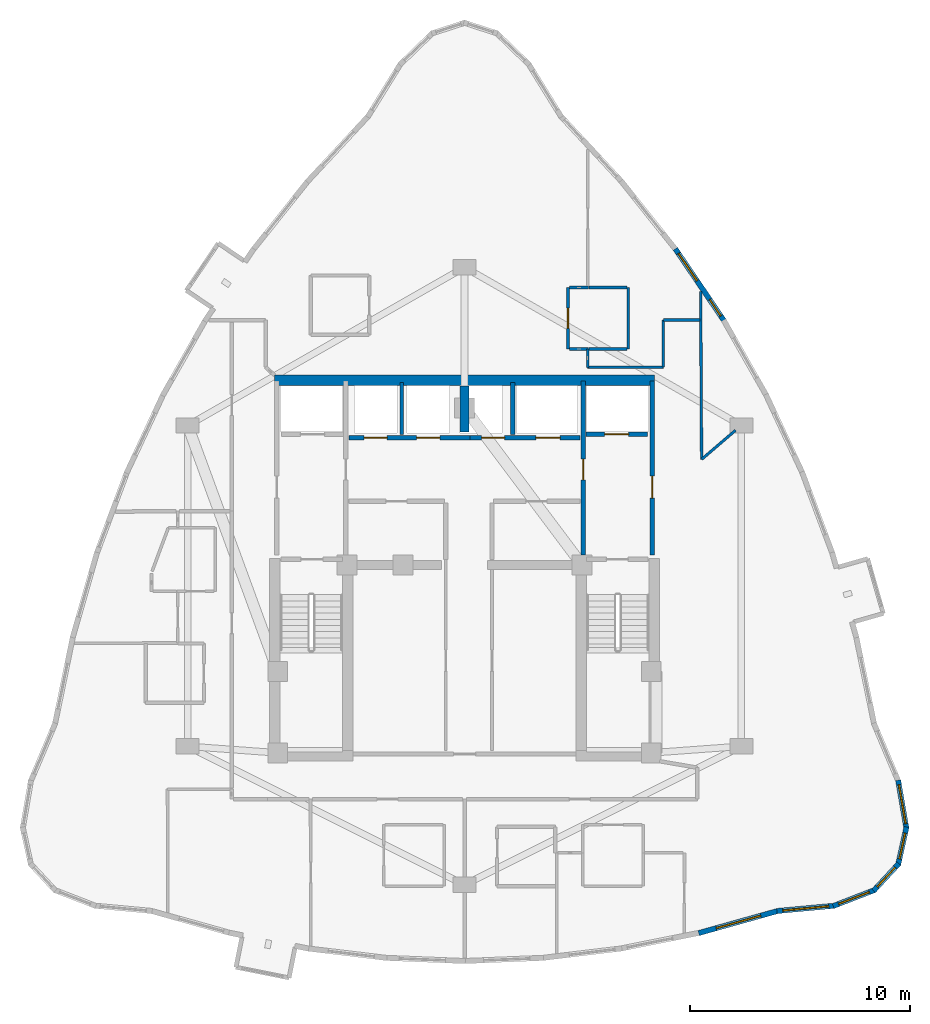
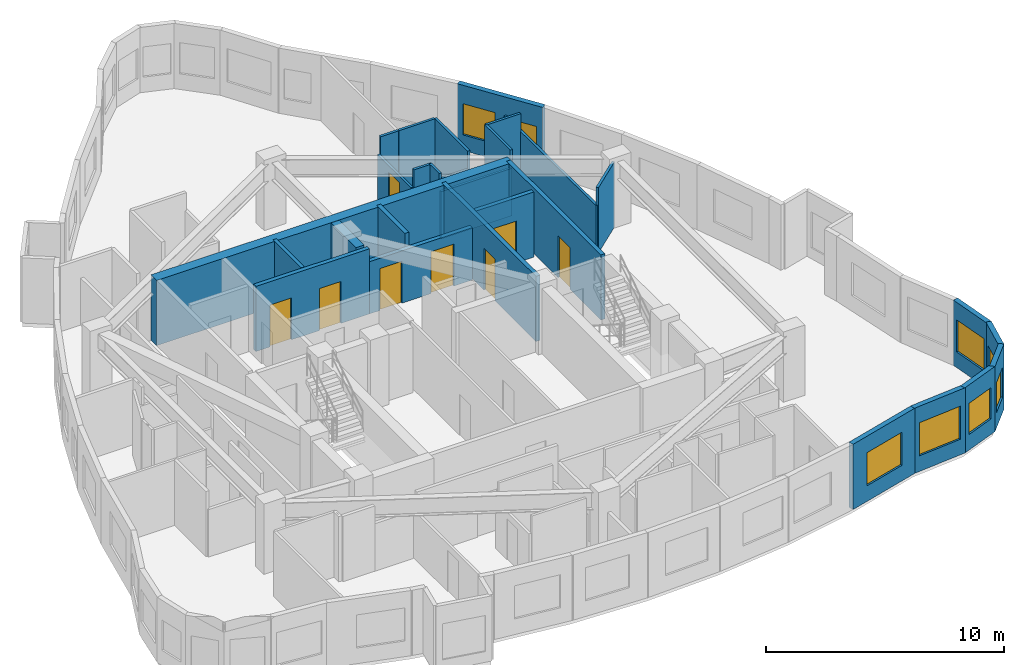
# One storey, part 10 of 13: 28 walls, 8 doors, 8 windows, 16 openings.
"""IFC4 building model written with IfcOpenShell, lengths in metres."""

from ifc_helpers import new_model, si_unit, direction, frame, frame_2d, origin, place, context, subcontext, project, spatial, rectangle, extrude, material, layer, layer_set, type_object, element, fill, save


model = new_model("IFC4")

# Units and contexts
model_context = context("Model", 3, precision=1e-05, world=origin(), true_north=direction((0.0, 1.0)))
body_context = subcontext(model_context, "Body", "Model", "MODEL_VIEW")
ifc_project = project(units=[si_unit("LENGTHUNIT", "METRE"), si_unit("AREAUNIT", "SQUARE_METRE"), si_unit("VOLUMEUNIT", "CUBIC_METRE"), si_unit("PLANEANGLEUNIT", "RADIAN"), si_unit("MASSUNIT", "GRAM", prefix="KILO")], contexts=[model_context])

# Site, building, storey
site_placement = place(None, origin())
site = spatial("IfcSite", under=ifc_project, at=site_placement, CompositionType="ELEMENT")
building_placement = place(site_placement, origin())
building = spatial("IfcBuilding", under=site, at=building_placement, Name="Miruveldt Soraemaru", CompositionType="ELEMENT")
storey_placement = place(building_placement, frame((0.0, 0.0, 201.60009765625)))
storey = spatial("IfcBuildingStorey", under=building, at=storey_placement, Name="L55", CompositionType="ELEMENT", Elevation=201.60009765625)

# Walls
ifc_material_1 = material(Name="Concrete C70/85 (70 MPa)", Category="concrete")
ifc_layer_1 = layer(ifc_material_1, 0.5, Name="Concrete C70/85 (70 MPa)", Category="concrete")
ifc_layer_set_1 = layer_set([ifc_layer_1], Name="Concrete C70/85 (70 MPa)")
wall_type_1 = type_object("IfcWallType", Name="WALL-BW-500", PredefinedType="SHEAR", material=ifc_layer_set_1)
wall_1_placement = place(storey_placement, frame((44.0, 50.10009765625, 0.0), z_axis=(0.0, 0.0, 1.0), x_axis=(0.0, 1.0, 0.0)))
element("IfcWall", 1, at=wall_1_placement, inside=storey, type_object=wall_type_1, Name="L55 Core Buttress Shear Wall BN", PredefinedType="SHEAR", context=body_context, shape_type="SweptSolid", body=[
    extrude(rectangle(XDim=2.099853515625, YDim=0.39990234375, at=frame_2d((1.0498046875, 0.0))), origin(), (0.0, 0.0, 1.0), 3.344970703125),
])
ifc_material_2 = material(Name="Concrete C60/75 (60 MPa)", Category="concrete")
ifc_layer_2 = layer(ifc_material_2, 0.47998046875, Name="Concrete C60/75 (60 MPa)", Category="concrete")
ifc_layer_set_2 = layer_set([ifc_layer_2], Name="Concrete C60/75 (60 MPa)")
wall_type_2 = type_object("IfcWallType", Name="WALL-CW-480", PredefinedType="SHEAR", material=ifc_layer_set_2)
wall_2_placement = place(storey_placement, frame((35.35009765625, 52.449951171875, 0.0), z_axis=(0.0, 0.0, 1.0), x_axis=(1.0, 0.0, 0.0)))
element("IfcWall", 2, at=wall_2_placement, inside=storey, type_object=wall_type_2, Name="L55 Central Core Shear Wall N", PredefinedType="SHEAR", context=body_context, shape_type="SweptSolid", body=[
    extrude(rectangle(XDim=17.2998046875, YDim=0.47998046875, at=frame_2d((8.64990234375, 0.0))), origin(), (0.0, 0.0, 1.0), 3.344970703125),
])

# Wall, opening, window
ifc_material_3 = material(Name="Precast concrete C45/55 (45 MPa)", Category="concrete")
ifc_layer_3 = layer(ifc_material_3, 0.239990234375, Name="Precast concrete C45/55 (45 MPa)", Category="concrete")
ifc_layer_set_3 = layer_set([ifc_layer_3], Name="Precast concrete C45/55 (45 MPa)")
wall_type_3 = type_object("IfcWallType", Name="WALL-EXT-PC240", PredefinedType="SOLIDWALL", material=ifc_layer_set_3)
wall_3_placement = place(storey_placement, frame((54.654052734375, 27.297119140625, 0.0), z_axis=(0.0, 0.0, 1.0), x_axis=(0.962964692372, 0.26962752316, 0.0)))
wall_3 = element("IfcWall", 3, at=wall_3_placement, inside=storey, type_object=wall_type_3, Name="L55 Precast Concrete Facade Wall 28", PredefinedType="SOLIDWALL", context=body_context, shape_type="SweptSolid", body=[
    extrude(rectangle(XDim=3.76953125, YDim=0.239990234375, at=frame_2d((1.884765625, 0.0))), origin(), (0.0, 0.0, 1.0), 3.344970703125),
])
opening_1_placement = place(wall_3_placement, frame((0.8349609375, 0.0, 0.800048828125)))
opening_1 = element("IfcOpeningElement", 4, at=opening_1_placement, cuts=wall_3, Name="Opening WN-1", PredefinedType="OPENING", context=body_context, shape_type="SweptSolid", body=[
    extrude(rectangle(XDim=2.10009765625, YDim=1.699951171875, at=frame_2d((1.050048828125, 0.85009765625))), frame((0.0, 0.1298828125, 0.0), z_axis=(0.0, -1.0, 0.0), x_axis=(1.0, 0.0, 0.0)), (0.0, 0.0, 1.0), 0.260009765625),
])
ifc_material_4 = material(Name="Triple low-e insulated glazing", Category="glass")
window_type_1 = type_object("IfcWindowType", Name="WIN-PUNCH-2100x1700", PartitioningType="SINGLE_PANEL", PredefinedType="WINDOW", material=ifc_material_4)
window_1_placement = place(opening_1_placement, origin())
window_1 = element("IfcWindow", 5, at=window_1_placement, inside=storey, type_object=window_type_1, Name="L55 Punched Triple-Glazed Window 28.1", OverallHeight=1.699951171875, OverallWidth=2.10009765625, PartitioningType="SINGLE_PANEL", PredefinedType="WINDOW", context=body_context, shape_type="SweptSolid", body=[
    extrude(rectangle(XDim=2.10009765625, YDim=1.699951171875, at=frame_2d((1.050048828125, 0.85009765625))), frame((0.0, 0.030029296875, 0.0), z_axis=(0.0, -1.0, 0.0), x_axis=(1.0, 0.0, 0.0)), (0.0, 0.0, 1.0), 0.06005859375),
])
fill(opening_1, window_1)

wall_4_placement = place(storey_placement, frame((58.21533203125, 28.30078125, 0.0), z_axis=(0.0, 0.0, 1.0), x_axis=(0.995760434539, 0.091984547654, 0.0)))
wall_4 = element("IfcWall", 6, at=wall_4_placement, inside=storey, type_object=wall_type_3, Name="L55 Precast Concrete Facade Wall 29", PredefinedType="SOLIDWALL", context=body_context, shape_type="SweptSolid", body=[
    extrude(rectangle(XDim=2.6435546875, YDim=0.239990234375, at=frame_2d((1.32177734375, 0.0))), origin(), (0.0, 0.0, 1.0), 3.344970703125),
])
opening_2_placement = place(wall_4_placement, frame((0.27197265625, 0.0, 0.800048828125)))
opening_2 = element("IfcOpeningElement", 7, at=opening_2_placement, cuts=wall_4, Name="Opening WN-1", PredefinedType="OPENING", context=body_context, shape_type="SweptSolid", body=[
    extrude(rectangle(XDim=2.10009765625, YDim=1.699951171875, at=frame_2d((1.050048828125, 0.85009765625))), frame((0.0, 0.1298828125, 0.0), z_axis=(0.0, -1.0, 0.0), x_axis=(1.0, 0.0, 0.0)), (0.0, 0.0, 1.0), 0.260009765625),
])
window_2_placement = place(opening_2_placement, origin())
window_2 = element("IfcWindow", 8, at=window_2_placement, inside=storey, type_object=window_type_1, Name="L55 Punched Triple-Glazed Window 29.1", OverallHeight=1.699951171875, OverallWidth=2.10009765625, PartitioningType="SINGLE_PANEL", PredefinedType="WINDOW", context=body_context, shape_type="SweptSolid", body=[
    extrude(rectangle(XDim=2.10009765625, YDim=1.699951171875, at=frame_2d((1.050048828125, 0.85009765625))), frame((0.0, 0.030029296875, 0.0), z_axis=(0.0, -1.0, 0.0), x_axis=(1.0, 0.0, 0.0)), (0.0, 0.0, 1.0), 0.06005859375),
])
fill(opening_2, window_2)

wall_5_placement = place(storey_placement, frame((60.7802734375, 28.528076171875, 0.0), z_axis=(0.0, 0.0, 1.0), x_axis=(0.932261326856, 0.361785597349, 0.0)))
wall_5 = element("IfcWall", 9, at=wall_5_placement, inside=storey, type_object=wall_type_3, Name="L55 Precast Concrete Facade Wall 30", PredefinedType="SOLIDWALL", context=body_context, shape_type="SweptSolid", body=[
    extrude(rectangle(XDim=2.033203125, YDim=0.239990234375, at=frame_2d((1.0166015625, 0.0))), origin(), (0.0, 0.0, 1.0), 3.344970703125),
])
opening_3_placement = place(wall_5_placement, frame((0.26611328125, 0.0, 0.800048828125)))
opening_3 = element("IfcOpeningElement", 10, at=opening_3_placement, cuts=wall_5, Name="Opening WN-3", PredefinedType="OPENING", context=body_context, shape_type="SweptSolid", body=[
    extrude(rectangle(XDim=1.5, YDim=1.60009765625, at=frame_2d((0.75, 0.800048828125))), frame((0.0, 0.1298828125, 0.0), z_axis=(0.0, -1.0, 0.0), x_axis=(1.0, 0.0, 0.0)), (0.0, 0.0, 1.0), 0.260009765625),
])
window_type_2 = type_object("IfcWindowType", Name="WIN-PUNCH-1500x1600", PartitioningType="SINGLE_PANEL", PredefinedType="WINDOW", material=ifc_material_4)
window_3_placement = place(opening_3_placement, origin())
window_3 = element("IfcWindow", 11, at=window_3_placement, inside=storey, type_object=window_type_2, Name="L55 Punched Triple-Glazed Window 30.1", OverallHeight=1.60009765625, OverallWidth=1.5, PartitioningType="SINGLE_PANEL", PredefinedType="WINDOW", context=body_context, shape_type="SweptSolid", body=[
    extrude(rectangle(XDim=1.5, YDim=1.60009765625, at=frame_2d((0.75, 0.800048828125))), frame((0.0, 0.030029296875, 0.0), z_axis=(0.0, -1.0, 0.0), x_axis=(1.0, 0.0, 0.0)), (0.0, 0.0, 1.0), 0.06005859375),
])
fill(opening_3, window_3)

wall_6_placement = place(storey_placement, frame((62.619384765625, 29.22509765625, 0.0), z_axis=(0.0, 0.0, 1.0), x_axis=(0.680167597327, 0.733056641431, 0.0)))
wall_6 = element("IfcWall", 12, at=wall_6_placement, inside=storey, type_object=wall_type_3, Name="L55 Precast Concrete Facade Wall 31", PredefinedType="SOLIDWALL", context=body_context, shape_type="SweptSolid", body=[
    extrude(rectangle(XDim=1.684814453125, YDim=0.239990234375, at=frame_2d((0.84228515625, 0.0))), origin(), (0.0, 0.0, 1.0), 3.344970703125),
])
opening_4_placement = place(wall_6_placement, frame((0.241943359375, 0.0, 0.780029296875)))
opening_4 = element("IfcOpeningElement", 13, at=opening_4_placement, cuts=wall_6, Name="Opening WN-4", PredefinedType="OPENING", context=body_context, shape_type="SweptSolid", body=[
    extrude(rectangle(XDim=1.199951171875, YDim=1.550048828125, at=frame_2d((0.60009765625, 0.77490234375))), frame((0.0, 0.1298828125, 0.0), z_axis=(0.0, -1.0, 0.0), x_axis=(1.0, 0.0, 0.0)), (0.0, 0.0, 1.0), 0.260009765625),
])
window_type_3 = type_object("IfcWindowType", Name="WIN-PUNCH-1200x1550", PartitioningType="SINGLE_PANEL", PredefinedType="WINDOW", material=ifc_material_4)
window_4_placement = place(opening_4_placement, origin())
window_4 = element("IfcWindow", 14, at=window_4_placement, inside=storey, type_object=window_type_3, Name="L55 Punched Triple-Glazed Window 31.1", OverallHeight=1.550048828125, OverallWidth=1.199951171875, PartitioningType="SINGLE_PANEL", PredefinedType="WINDOW", context=body_context, shape_type="SweptSolid", body=[
    extrude(rectangle(XDim=1.199951171875, YDim=1.550048828125, at=frame_2d((0.60009765625, 0.77490234375))), frame((0.0, 0.030029296875, 0.0), z_axis=(0.0, -1.0, 0.0), x_axis=(1.0, 0.0, 0.0)), (0.0, 0.0, 1.0), 0.06005859375),
])
fill(opening_4, window_4)

wall_7_placement = place(storey_placement, frame((63.73388671875, 30.400390625, 0.0), z_axis=(0.0, 0.0, 1.0), x_axis=(0.215818470806, 0.976433503962, 0.0)))
wall_7 = element("IfcWall", 15, at=wall_7_placement, inside=storey, type_object=wall_type_3, Name="L55 Precast Concrete Facade Wall 32", PredefinedType="SOLIDWALL", context=body_context, shape_type="SweptSolid", body=[
    extrude(rectangle(XDim=1.76708984375, YDim=0.239990234375, at=frame_2d((0.883544921875, 0.0))), origin(), (0.0, 0.0, 1.0), 3.344970703125),
])
opening_5_placement = place(wall_7_placement, frame((0.282958984375, 0.0, 0.780029296875)))
opening_5 = element("IfcOpeningElement", 16, at=opening_5_placement, cuts=wall_7, Name="Opening WN-4", PredefinedType="OPENING", context=body_context, shape_type="SweptSolid", body=[
    extrude(rectangle(XDim=1.199951171875, YDim=1.550048828125, at=frame_2d((0.60009765625, 0.77490234375))), frame((0.0, 0.1298828125, 0.0), z_axis=(0.0, -1.0, 0.0), x_axis=(1.0, 0.0, 0.0)), (0.0, 0.0, 1.0), 0.260009765625),
])
window_5_placement = place(opening_5_placement, origin())
window_5 = element("IfcWindow", 17, at=window_5_placement, inside=storey, type_object=window_type_3, Name="L55 Punched Triple-Glazed Window 32.1", OverallHeight=1.550048828125, OverallWidth=1.199951171875, PartitioningType="SINGLE_PANEL", PredefinedType="WINDOW", context=body_context, shape_type="SweptSolid", body=[
    extrude(rectangle(XDim=1.199951171875, YDim=1.550048828125, at=frame_2d((0.60009765625, 0.77490234375))), frame((0.0, 0.030029296875, 0.0), z_axis=(0.0, -1.0, 0.0), x_axis=(1.0, 0.0, 0.0)), (0.0, 0.0, 1.0), 0.06005859375),
])
fill(opening_5, window_5)

wall_8_placement = place(storey_placement, frame((64.113525390625, 32.05712890625, 0.0), z_axis=(0.0, 0.0, 1.0), x_axis=(-0.169346387862, 0.985556594477, 0.0)))
wall_8 = element("IfcWall", 18, at=wall_8_placement, inside=storey, type_object=wall_type_3, Name="L55 Precast Concrete Facade Wall 33", PredefinedType="SOLIDWALL", context=body_context, shape_type="SweptSolid", body=[
    extrude(rectangle(XDim=2.231689453125, YDim=0.239990234375, at=frame_2d((1.11572265625, 0.0))), origin(), (0.0, 0.0, 1.0), 3.344970703125),
])
opening_6_placement = place(wall_8_placement, frame((0.216064453125, 0.0, 0.800048828125)))
opening_6 = element("IfcOpeningElement", 19, at=opening_6_placement, cuts=wall_8, Name="Opening WN-2", PredefinedType="OPENING", context=body_context, shape_type="SweptSolid", body=[
    extrude(rectangle(XDim=1.800048828125, YDim=1.64990234375, at=frame_2d((0.89990234375, 0.824951171875))), frame((0.0, 0.1298828125, 0.0), z_axis=(0.0, -1.0, 0.0), x_axis=(1.0, 0.0, 0.0)), (0.0, 0.0, 1.0), 0.260009765625),
])
window_type_4 = type_object("IfcWindowType", Name="WIN-PUNCH-1800x1650", PartitioningType="SINGLE_PANEL", PredefinedType="WINDOW", material=ifc_material_4)
window_6_placement = place(opening_6_placement, origin())
window_6 = element("IfcWindow", 20, at=window_6_placement, inside=storey, type_object=window_type_4, Name="L55 Punched Triple-Glazed Window 33.1", OverallHeight=1.64990234375, OverallWidth=1.800048828125, PartitioningType="SINGLE_PANEL", PredefinedType="WINDOW", context=body_context, shape_type="SweptSolid", body=[
    extrude(rectangle(XDim=1.800048828125, YDim=1.64990234375, at=frame_2d((0.89990234375, 0.824951171875))), frame((0.0, 0.030029296875, 0.0), z_axis=(0.0, -1.0, 0.0), x_axis=(1.0, 0.0, 0.0)), (0.0, 0.0, 1.0), 0.06005859375),
])
fill(opening_6, window_6)

# Wall, openings, windows
wall_9_placement = place(storey_placement, frame((55.829833984375, 55.143310546875, 0.0), z_axis=(0.0, 0.0, 1.0), x_axis=(-0.56084814517, 0.827918690488, 0.0)))
wall_9 = element("IfcWall", 21, at=wall_9_placement, inside=storey, type_object=wall_type_3, Name="L55 Precast Concrete Facade Wall 40", PredefinedType="SOLIDWALL", context=body_context, shape_type="SweptSolid", body=[
    extrude(rectangle(XDim=3.985595703125, YDim=0.239990234375, at=frame_2d((1.99267578125, 0.0))), origin(), (0.0, 0.0, 1.0), 3.344970703125),
])
opening_7_placement = place(wall_9_placement, frame((0.297119140625, 0.0, 0.780029296875)))
opening_7 = element("IfcOpeningElement", 22, at=opening_7_placement, cuts=wall_9, Name="Opening WN-7", PredefinedType="OPENING", context=body_context, shape_type="SweptSolid", body=[
    extrude(rectangle(XDim=0.89990234375, YDim=1.5, at=frame_2d((0.449951171875, 0.75))), frame((0.0, 0.1298828125, 0.0), z_axis=(0.0, -1.0, 0.0), x_axis=(1.0, 0.0, 0.0)), (0.0, 0.0, 1.0), 0.260009765625),
])
opening_8_placement = place(wall_9_placement, frame((2.22998046875, 0.0, 0.800048828125)))
opening_8 = element("IfcOpeningElement", 23, at=opening_8_placement, cuts=wall_9, Name="Opening WN-3", PredefinedType="OPENING", context=body_context, shape_type="SweptSolid", body=[
    extrude(rectangle(XDim=1.5, YDim=1.60009765625, at=frame_2d((0.75, 0.800048828125))), frame((0.0, 0.1298828125, 0.0), z_axis=(0.0, -1.0, 0.0), x_axis=(1.0, 0.0, 0.0)), (0.0, 0.0, 1.0), 0.260009765625),
])
window_7_placement = place(opening_8_placement, origin())
window_7 = element("IfcWindow", 24, at=window_7_placement, inside=storey, type_object=window_type_2, Name="L55 Punched Triple-Glazed Window 40.2", OverallHeight=1.60009765625, OverallWidth=1.5, PartitioningType="SINGLE_PANEL", PredefinedType="WINDOW", context=body_context, shape_type="SweptSolid", body=[
    extrude(rectangle(XDim=1.5, YDim=1.60009765625, at=frame_2d((0.75, 0.800048828125))), frame((0.0, 0.030029296875, 0.0), z_axis=(0.0, -1.0, 0.0), x_axis=(1.0, 0.0, 0.0)), (0.0, 0.0, 1.0), 0.06005859375),
])
fill(opening_8, window_7)
window_type_5 = type_object("IfcWindowType", Name="WIN-PUNCH-900x1500", PartitioningType="SINGLE_PANEL", PredefinedType="WINDOW", material=ifc_material_4)
window_8_placement = place(opening_7_placement, origin())
window_8 = element("IfcWindow", 25, at=window_8_placement, inside=storey, type_object=window_type_5, Name="L55 Punched Triple-Glazed Window 40.1", OverallHeight=1.5, OverallWidth=0.89990234375, PartitioningType="SINGLE_PANEL", PredefinedType="WINDOW", context=body_context, shape_type="SweptSolid", body=[
    extrude(rectangle(XDim=0.89990234375, YDim=1.5, at=frame_2d((0.449951171875, 0.75))), frame((0.0, 0.030029296875, 0.0), z_axis=(0.0, -1.0, 0.0), x_axis=(1.0, 0.0, 0.0)), (0.0, 0.0, 1.0), 0.06005859375),
])
fill(opening_7, window_8)

# Wall, opening, door
ifc_material_5 = material(Name="Gypsum plasterboard lining", Category="gypsum")
ifc_layer_4 = layer(ifc_material_5, 0.1201171875, Name="Gypsum plasterboard lining", Category="gypsum")
ifc_layer_set_4 = layer_set([ifc_layer_4], Name="Gypsum plasterboard lining")
wall_type_4 = type_object("IfcWallType", Name="WALL-INT-P120", PredefinedType="PARTITIONING", material=ifc_layer_set_4)
wall_10_placement = place(storey_placement, frame((48.70703125, 56.679931640625, 0.0), z_axis=(0.0, 0.0, 1.0), x_axis=(0.0, -1.0, 0.0)))
wall_10 = element("IfcWall", 26, at=wall_10_placement, inside=storey, type_object=wall_type_4, Name="L55 Partition Wall 17", PredefinedType="PARTITIONING", context=body_context, shape_type="SweptSolid", body=[
    extrude(rectangle(XDim=2.800048828125, YDim=0.1201171875, at=frame_2d((1.39990234375, 0.0))), origin(), (0.0, 0.0, 1.0), 2.432861328125),
])
opening_9_placement = place(wall_10_placement, frame((0.93994140625, 0.0, 0.0)))
opening_9 = element("IfcOpeningElement", 27, at=opening_9_placement, cuts=wall_10, Name="Opening D3A", PredefinedType="OPENING", context=body_context, shape_type="SweptSolid", body=[
    extrude(rectangle(XDim=0.919921875, YDim=2.10009765625, at=frame_2d((0.4599609375, 1.050048828125))), frame((0.0, 0.070068359375, 0.0), z_axis=(0.0, -1.0, 0.0), x_axis=(1.0, 0.0, 0.0)), (0.0, 0.0, 1.0), 0.14013671875),
])
ifc_material_6 = material(Name="Anodised aluminium EN AW-6063 T6", Category="aluminium")
door_type_1 = type_object("IfcDoorType", Name="DOOR-INT-920", OperationType="NOTDEFINED", PredefinedType="DOOR", material=ifc_material_6)
door_1_placement = place(opening_9_placement, origin())
door_1 = element("IfcDoor", 28, at=door_1_placement, inside=storey, type_object=door_type_1, Name="L55 Unit 5501 KIT Door", OperationType="SINGLE_SWING_LEFT", OverallHeight=2.10009765625, OverallWidth=0.919921875, PredefinedType="DOOR", context=body_context, shape_type="SweptSolid", body=[
    extrude(rectangle(XDim=0.919921875, YDim=2.10009765625, at=frame_2d((0.4599609375, 1.050048828125))), frame((0.0, 0.02490234375, 0.0), z_axis=(0.0, -1.0, 0.0), x_axis=(1.0, 0.0, 0.0)), (0.0, 0.0, 1.0), 0.050048828125),
])
fill(opening_9, door_1)

# Walls
wall_11_placement = place(storey_placement, frame((54.7451171875, 56.50390625, 0.0), z_axis=(0.0, 0.0, 1.0), x_axis=(0.005875864585, -0.999982736959, 0.0)))
element("IfcWall", 29, at=wall_11_placement, inside=storey, type_object=wall_type_4, Name="L55 Partition Wall 56", PredefinedType="PARTITIONING", context=body_context, shape_type="SweptSolid", body=[
    extrude(rectangle(XDim=7.645263671875, YDim=0.1201171875, at=frame_2d((3.82275390625, 0.0))), origin(), (0.0, 0.0, 1.0), 2.432861328125),
])
wall_12_placement = place(storey_placement, frame((53.047119140625, 53.050048828125, 0.0), z_axis=(0.0, 0.0, 1.0), x_axis=(-1.0, 0.0, 0.0)))
element("IfcWall", 30, at=wall_12_placement, inside=storey, type_object=wall_type_4, Name="L55 Partition Wall 59", PredefinedType="PARTITIONING", context=body_context, shape_type="SweptSolid", body=[
    extrude(rectangle(XDim=3.444091796875, YDim=0.1201171875, at=frame_2d((1.72216796875, 0.0))), origin(), (0.0, 0.0, 1.0), 2.432861328125),
])
wall_13_placement = place(storey_placement, frame((51.45703125, 53.8798828125, 0.0), z_axis=(0.0, 0.0, 1.0), x_axis=(0.0, 1.0, 0.0)))
element("IfcWall", 31, at=wall_13_placement, inside=storey, type_object=wall_type_4, Name="L55 Partition Wall 24", PredefinedType="PARTITIONING", context=body_context, shape_type="SweptSolid", body=[
    extrude(rectangle(XDim=2.800048828125, YDim=0.1201171875, at=frame_2d((1.39990234375, 0.0))), origin(), (0.0, 0.0, 1.0), 3.344970703125),
])
wall_14_placement = place(storey_placement, frame((53.050048828125, 55.199951171875, 0.0), z_axis=(0.0, 0.0, 1.0), x_axis=(0.0, -1.0, 0.0)))
element("IfcWall", 32, at=wall_14_placement, inside=storey, type_object=wall_type_4, Name="L55 Partition Wall 58", PredefinedType="PARTITIONING", context=body_context, shape_type="SweptSolid", body=[
    extrude(rectangle(XDim=2.14697265625, YDim=0.1201171875, at=frame_2d((1.073486328125, 0.0))), origin(), (0.0, 0.0, 1.0), 3.344970703125),
])
wall_15_placement = place(storey_placement, frame((54.7900390625, 48.85888671875, 0.0), z_axis=(0.0, 0.0, 1.0), x_axis=(0.759333107801, 0.650702106495, 0.0)))
element("IfcWall", 33, at=wall_15_placement, inside=storey, type_object=wall_type_4, Name="L55 Partition Closure Return 3", PredefinedType="PARTITIONING", context=body_context, shape_type="SweptSolid", body=[
    extrude(rectangle(XDim=2.027099609375, YDim=0.1201171875, at=frame_2d((1.013671875, 0.0))), origin(), (0.0, 0.0, 1.0), 3.344970703125),
])
wall_16_placement = place(storey_placement, frame((49.6630859375, 53.8798828125, 0.0), z_axis=(0.0, 0.0, 1.0), x_axis=(1.0, 0.0, 0.0)))
element("IfcWall", 34, at=wall_16_placement, inside=storey, type_object=wall_type_4, Name="L55 Partition Wall 23", PredefinedType="PARTITIONING", context=body_context, shape_type="SweptSolid", body=[
    extrude(rectangle(XDim=1.73388671875, YDim=0.1201171875, at=frame_2d((0.866943359375, 0.0))), origin(), (0.0, 0.0, 1.0), 2.432861328125),
])
wall_17_placement = place(storey_placement, frame((51.39697265625, 56.679931640625, 0.0), z_axis=(0.0, 0.0, 1.0), x_axis=(-1.0, 0.0, 0.0)))
element("IfcWall", 35, at=wall_17_placement, inside=storey, type_object=wall_type_4, Name="L55 Partition Wall 25", PredefinedType="PARTITIONING", context=body_context, shape_type="SweptSolid", body=[
    extrude(rectangle(XDim=1.73388671875, YDim=0.1201171875, at=frame_2d((0.866943359375, 0.0))), origin(), (0.0, 0.0, 1.0), 3.344970703125),
])
wall_18_placement = place(storey_placement, frame((54.707763671875, 55.199951171875, 0.0), z_axis=(0.0, 0.0, 1.0), x_axis=(-1.0, 0.0, 0.0)))
element("IfcWall", 36, at=wall_18_placement, inside=storey, type_object=wall_type_4, Name="L55 Partition Wall 57", PredefinedType="PARTITIONING", context=body_context, shape_type="SweptSolid", body=[
    extrude(rectangle(XDim=1.65771484375, YDim=0.1201171875, at=frame_2d((0.828857421875, 0.0))), origin(), (0.0, 0.0, 1.0), 3.344970703125),
])
for number, where, z_axis, x_axis, name in (
    (37, (49.633056640625, 56.679931640625, 0.0), (0.0, 0.0, 1.0), (-1.0, 0.0, 0.0), "L55 Partition Wall 16"),
    (38, (48.76708984375, 53.8798828125, 0.0), (0.0, 0.0, 1.0), (1.0, 0.0, 0.0), "L55 Partition Wall 18"),
):
    element("IfcWall", number, at=place(storey_placement, frame(where, z_axis=z_axis, x_axis=x_axis)), inside=storey, type_object=wall_type_4, Name=name, PredefinedType="PARTITIONING", context=body_context, shape_type="SweptSolid", body=[
        extrude(rectangle(XDim=0.865966796875, YDim=0.1201171875, at=frame_2d((0.43310546875, 0.0))), origin(), (0.0, 0.0, 1.0), 3.344970703125),
    ])
wall_19_placement = place(storey_placement, frame((49.60302734375, 53.050048828125, 0.0), z_axis=(0.0, 0.0, 1.0), x_axis=(0.0, 1.0, 0.0)))
element("IfcWall", 39, at=wall_19_placement, inside=storey, type_object=wall_type_4, Name="L55 Partition Wall 19", PredefinedType="PARTITIONING", context=body_context, shape_type="SweptSolid", body=[
    extrude(rectangle(XDim=0.829833984375, YDim=0.1201171875, at=frame_2d((0.4150390625, 0.0))), origin(), (0.0, 0.0, 1.0), 3.344970703125),
])
ifc_material_7 = material(Name="Concrete C40/50 (40 MPa)", Category="concrete")
ifc_layer_5 = layer(ifc_material_7, 0.159912109375, Name="Concrete C40/50 (40 MPa)", Category="concrete")
ifc_layer_set_5 = layer_set([ifc_layer_5], Name="Concrete C40/50 (40 MPa)")
wall_type_5 = type_object("IfcWallType", Name="WALL-INT-RC160", PredefinedType="SOLIDWALL", material=ifc_layer_set_5)
wall_20_placement = place(storey_placement, frame((41.14990234375, 49.97998046875, 0.0), z_axis=(0.0, 0.0, 1.0), x_axis=(0.0, 1.0, 0.0)))
element("IfcWall", 40, at=wall_20_placement, inside=storey, type_object=wall_type_5, Name="L55 Core Compartment Wall PLH-DIV1", PredefinedType="SOLIDWALL", context=body_context, shape_type="SweptSolid", body=[
    extrude(rectangle(XDim=2.3701171875, YDim=0.159912109375, at=frame_2d((1.18505859375, 0.0))), origin(), (0.0, 0.0, 1.0), 3.344970703125),
])

# Wall, opening, door
ifc_layer_6 = layer(ifc_material_7, 0.199951171875, Name="Concrete C40/50 (40 MPa)", Category="concrete")
ifc_layer_set_6 = layer_set([ifc_layer_6], Name="Concrete C40/50 (40 MPa)")
wall_type_6 = type_object("IfcWallType", Name="WALL-INT-RC200", PredefinedType="SOLIDWALL", material=ifc_layer_set_6)
wall_21_placement = place(storey_placement, frame((52.550048828125, 44.5, 0.0), z_axis=(0.0, 0.0, 1.0), x_axis=(0.0, 1.0, 0.0)))
wall_21 = element("IfcWall", 41, at=wall_21_placement, inside=storey, type_object=wall_type_6, Name="L55 Core Compartment Wall FFE-OUT", PredefinedType="SOLIDWALL", context=body_context, shape_type="SweptSolid", body=[
    extrude(rectangle(XDim=7.919921875, YDim=0.199951171875, at=frame_2d((3.9599609375, 0.0))), origin(), (0.0, 0.0, 1.0), 3.344970703125),
])
opening_10_placement = place(wall_21_placement, frame((2.60009765625, 0.0, 0.0)))
opening_10 = element("IfcOpeningElement", 42, at=opening_10_placement, cuts=wall_21, Name="Opening FD1", PredefinedType="OPENING", context=body_context, shape_type="SweptSolid", body=[
    extrude(rectangle(XDim=1.0, YDim=2.14990234375, at=frame_2d((0.5, 1.074951171875))), frame((0.0, 0.10986328125, 0.0), z_axis=(0.0, -1.0, 0.0), x_axis=(1.0, 0.0, 0.0)), (0.0, 0.0, 1.0), 0.219970703125),
])
door_type_2 = type_object("IfcDoorType", Name="DOOR-FD1-1000", OperationType="NOTDEFINED", PredefinedType="DOOR", material=ifc_material_6)
door_2_placement = place(opening_10_placement, frame((1.0, 0.0, 0.0), z_axis=(0.0, 0.0, 1.0), x_axis=(-1.0, 0.0, 0.0)))
door_2 = element("IfcDoor", 43, at=door_2_placement, inside=storey, type_object=door_type_2, Name="L55 East Firefighting Lobby Exit Door", OperationType="SINGLE_SWING_RIGHT", OverallHeight=2.14990234375, OverallWidth=1.0, PredefinedType="DOOR", context=body_context, shape_type="SweptSolid", body=[
    extrude(rectangle(XDim=1.0, YDim=2.14990234375, at=frame_2d((0.5, 1.074951171875))), frame((0.0, 0.02490234375, 0.0), z_axis=(0.0, -1.0, 0.0), x_axis=(1.0, 0.0, 0.0)), (0.0, 0.0, 1.0), 0.050048828125),
])
fill(opening_10, door_2)

wall_22_placement = place(storey_placement, frame((49.39990234375, 44.5, 0.0), z_axis=(0.0, 0.0, 1.0), x_axis=(0.0, 1.0, 0.0)))
wall_22 = element("IfcWall", 44, at=wall_22_placement, inside=storey, type_object=wall_type_6, Name="L55 Core Compartment Wall FFE-IN", PredefinedType="SOLIDWALL", context=body_context, shape_type="SweptSolid", body=[
    extrude(rectangle(XDim=7.919921875, YDim=0.199951171875, at=frame_2d((3.9599609375, 0.0))), origin(), (0.0, 0.0, 1.0), 3.344970703125),
])
opening_11_placement = place(wall_22_placement, frame((3.425048828125, 0.0, 0.0)))
opening_11 = element("IfcOpeningElement", 45, at=opening_11_placement, cuts=wall_22, Name="Opening FD2", PredefinedType="OPENING", context=body_context, shape_type="SweptSolid", body=[
    extrude(rectangle(XDim=0.949951171875, YDim=2.14990234375, at=frame_2d((0.47509765625, 1.074951171875))), frame((0.0, 0.10986328125, 0.0), z_axis=(0.0, -1.0, 0.0), x_axis=(1.0, 0.0, 0.0)), (0.0, 0.0, 1.0), 0.219970703125),
])
door_type_3 = type_object("IfcDoorType", Name="DOOR-FD2-950", OperationType="NOTDEFINED", PredefinedType="DOOR", material=ifc_material_6)
door_3_placement = place(opening_11_placement, origin())
door_3 = element("IfcDoor", 46, at=door_3_placement, inside=storey, type_object=door_type_3, Name="L55 Lift Lobby to East Fire Lobby Door", OperationType="SINGLE_SWING_LEFT", OverallHeight=2.14990234375, OverallWidth=0.949951171875, PredefinedType="DOOR", context=body_context, shape_type="SweptSolid", body=[
    extrude(rectangle(XDim=0.949951171875, YDim=2.14990234375, at=frame_2d((0.47509765625, 1.074951171875))), frame((0.0, 0.02490234375, 0.0), z_axis=(0.0, -1.0, 0.0), x_axis=(1.0, 0.0, 0.0)), (0.0, 0.0, 1.0), 0.050048828125),
])
fill(opening_11, door_3)

# Wall, openings, doors
wall_23_placement = place(storey_placement, frame((38.75, 49.85009765625, 0.0), z_axis=(0.0, 0.0, 1.0), x_axis=(1.0, 0.0, 0.0)))
wall_23 = element("IfcWall", 47, at=wall_23_placement, inside=storey, type_object=wall_type_6, Name="L55 Core Compartment Wall ROWA-SW", PredefinedType="SOLIDWALL", context=body_context, shape_type="SweptSolid", body=[
    extrude(rectangle(XDim=5.5, YDim=0.199951171875, at=frame_2d((2.75, 0.0))), origin(), (0.0, 0.0, 1.0), 3.344970703125),
])
opening_12_placement = place(wall_23_placement, frame((0.675048828125, 0.0, 0.0)))
opening_12 = element("IfcOpeningElement", 48, at=opening_12_placement, cuts=wall_23, Name="Opening LD1", PredefinedType="OPENING", context=body_context, shape_type="SweptSolid", body=[
    extrude(rectangle(XDim=1.050048828125, YDim=2.14990234375, at=frame_2d((0.52490234375, 1.074951171875))), frame((0.0, 0.10986328125, 0.0), z_axis=(0.0, -1.0, 0.0), x_axis=(1.0, 0.0, 0.0)), (0.0, 0.0, 1.0), 0.219970703125),
])
opening_13_placement = place(wall_23_placement, frame((3.074951171875, 0.0, 0.0)))
opening_13 = element("IfcOpeningElement", 49, at=opening_13_placement, cuts=wall_23, Name="Opening LD1", PredefinedType="OPENING", context=body_context, shape_type="SweptSolid", body=[
    extrude(rectangle(XDim=1.050048828125, YDim=2.14990234375, at=frame_2d((0.52490234375, 1.074951171875))), frame((0.0, 0.10986328125, 0.0), z_axis=(0.0, -1.0, 0.0), x_axis=(1.0, 0.0, 0.0)), (0.0, 0.0, 1.0), 0.219970703125),
])
door_type_4 = type_object("IfcDoorType", Name="DOOR-LD1-1050", OperationType="SLIDING_TO_LEFT", PredefinedType="DOOR", material=ifc_material_6)
door_4_placement = place(opening_12_placement, origin())
door_4 = element("IfcDoor", 50, at=door_4_placement, inside=storey, type_object=door_type_4, Name="L55 PL-H1 Landing Door", OperationType="SLIDING_TO_LEFT", OverallHeight=2.14990234375, OverallWidth=1.050048828125, PredefinedType="DOOR", context=body_context, shape_type="SweptSolid", body=[
    extrude(rectangle(XDim=1.050048828125, YDim=2.14990234375, at=frame_2d((0.52490234375, 1.074951171875))), frame((0.0, 0.02490234375, 0.0), z_axis=(0.0, -1.0, 0.0), x_axis=(1.0, 0.0, 0.0)), (0.0, 0.0, 1.0), 0.050048828125),
])
fill(opening_12, door_4)
door_5_placement = place(opening_13_placement, origin())
door_5 = element("IfcDoor", 51, at=door_5_placement, inside=storey, type_object=door_type_4, Name="L55 PL-H2 Landing Door", OperationType="SLIDING_TO_LEFT", OverallHeight=2.14990234375, OverallWidth=1.050048828125, PredefinedType="DOOR", context=body_context, shape_type="SweptSolid", body=[
    extrude(rectangle(XDim=1.050048828125, YDim=2.14990234375, at=frame_2d((0.52490234375, 1.074951171875))), frame((0.0, 0.02490234375, 0.0), z_axis=(0.0, -1.0, 0.0), x_axis=(1.0, 0.0, 0.0)), (0.0, 0.0, 1.0), 0.050048828125),
])
fill(opening_13, door_5)

wall_24_placement = place(storey_placement, frame((44.25, 49.85009765625, 0.0), z_axis=(0.0, 0.0, 1.0), x_axis=(1.0, 0.0, 0.0)))
wall_24 = element("IfcWall", 52, at=wall_24_placement, inside=storey, type_object=wall_type_6, Name="L55 Core Compartment Wall ROWA-SE", PredefinedType="SOLIDWALL", context=body_context, shape_type="SweptSolid", body=[
    extrude(rectangle(XDim=5.0, YDim=0.199951171875, at=frame_2d((2.5, 0.0))), origin(), (0.0, 0.0, 1.0), 2.682861328125),
])
opening_14_placement = place(wall_24_placement, frame((0.52490234375, 0.0, 0.0)))
opening_14 = element("IfcOpeningElement", 53, at=opening_14_placement, cuts=wall_24, Name="Opening LD1", PredefinedType="OPENING", context=body_context, shape_type="SweptSolid", body=[
    extrude(rectangle(XDim=1.050048828125, YDim=2.14990234375, at=frame_2d((0.52490234375, 1.074951171875))), frame((0.0, 0.10986328125, 0.0), z_axis=(0.0, -1.0, 0.0), x_axis=(1.0, 0.0, 0.0)), (0.0, 0.0, 1.0), 0.219970703125),
])
opening_15_placement = place(wall_24_placement, frame((3.0, 0.0, 0.0)))
opening_15 = element("IfcOpeningElement", 54, at=opening_15_placement, cuts=wall_24, Name="Opening LD2", PredefinedType="OPENING", context=body_context, shape_type="SweptSolid", body=[
    extrude(rectangle(XDim=1.10009765625, YDim=2.14990234375, at=frame_2d((0.550048828125, 1.074951171875))), frame((0.0, 0.10986328125, 0.0), z_axis=(0.0, -1.0, 0.0), x_axis=(1.0, 0.0, 0.0)), (0.0, 0.0, 1.0), 0.219970703125),
])
door_6_placement = place(opening_14_placement, origin())
door_6 = element("IfcDoor", 55, at=door_6_placement, inside=storey, type_object=door_type_4, Name="L55 PL-H3 Landing Door", OperationType="SLIDING_TO_LEFT", OverallHeight=2.14990234375, OverallWidth=1.050048828125, PredefinedType="DOOR", context=body_context, shape_type="SweptSolid", body=[
    extrude(rectangle(XDim=1.050048828125, YDim=2.14990234375, at=frame_2d((0.52490234375, 1.074951171875))), frame((0.0, 0.02490234375, 0.0), z_axis=(0.0, -1.0, 0.0), x_axis=(1.0, 0.0, 0.0)), (0.0, 0.0, 1.0), 0.050048828125),
])
fill(opening_14, door_6)
door_type_5 = type_object("IfcDoorType", Name="DOOR-LD2-1100", OperationType="SLIDING_TO_LEFT", PredefinedType="DOOR", material=ifc_material_6)
door_7_placement = place(opening_15_placement, origin())
door_7 = element("IfcDoor", 56, at=door_7_placement, inside=storey, type_object=door_type_5, Name="L55 SL-1 Landing Door", OperationType="SLIDING_TO_LEFT", OverallHeight=2.14990234375, OverallWidth=1.10009765625, PredefinedType="DOOR", context=body_context, shape_type="SweptSolid", body=[
    extrude(rectangle(XDim=1.10009765625, YDim=2.14990234375, at=frame_2d((0.550048828125, 1.074951171875))), frame((0.0, 0.02490234375, 0.0), z_axis=(0.0, -1.0, 0.0), x_axis=(1.0, 0.0, 0.0)), (0.0, 0.0, 1.0), 0.050048828125),
])
fill(opening_15, door_7)

# Wall, opening, door
wall_25_placement = place(storey_placement, frame((49.52001953125, 50.0, 0.0), z_axis=(0.0, 0.0, 1.0), x_axis=(1.0, 0.0, 0.0)))
wall_25 = element("IfcWall", 57, at=wall_25_placement, inside=storey, type_object=wall_type_6, Name="L55 Core Compartment Wall FFL2-S", PredefinedType="SOLIDWALL", context=body_context, shape_type="SweptSolid", body=[
    extrude(rectangle(XDim=2.800048828125, YDim=0.199951171875, at=frame_2d((1.39990234375, 0.0))), origin(), (0.0, 0.0, 1.0), 3.344970703125),
])
opening_16_placement = place(wall_25_placement, frame((0.85009765625, 0.0, 0.0)))
opening_16 = element("IfcOpeningElement", 58, at=opening_16_placement, cuts=wall_25, Name="Opening LD2", PredefinedType="OPENING", context=body_context, shape_type="SweptSolid", body=[
    extrude(rectangle(XDim=1.10009765625, YDim=2.14990234375, at=frame_2d((0.550048828125, 1.074951171875))), frame((0.0, 0.10986328125, 0.0), z_axis=(0.0, -1.0, 0.0), x_axis=(1.0, 0.0, 0.0)), (0.0, 0.0, 1.0), 0.219970703125),
])
door_8_placement = place(opening_16_placement, origin())
door_8 = element("IfcDoor", 59, at=door_8_placement, inside=storey, type_object=door_type_5, Name="L55 FFL-2 Landing Door", OperationType="SLIDING_TO_LEFT", OverallHeight=2.14990234375, OverallWidth=1.10009765625, PredefinedType="DOOR", context=body_context, shape_type="SweptSolid", body=[
    extrude(rectangle(XDim=1.10009765625, YDim=2.14990234375, at=frame_2d((0.550048828125, 1.074951171875))), frame((0.0, 0.02490234375, 0.0), z_axis=(0.0, -1.0, 0.0), x_axis=(1.0, 0.0, 0.0)), (0.0, 0.0, 1.0), 0.050048828125),
])
fill(opening_16, door_8)

# Wall
wall_26_placement = place(storey_placement, frame((46.199951171875, 49.97998046875, 0.0), z_axis=(0.0, 0.0, 1.0), x_axis=(0.0, 1.0, 0.0)))
element("IfcWall", 60, at=wall_26_placement, inside=storey, type_object=wall_type_6, Name="L55 Core Compartment Wall PLH-SL-DIV", PredefinedType="SOLIDWALL", context=body_context, shape_type="SweptSolid", body=[
    extrude(rectangle(XDim=2.3701171875, YDim=0.199951171875, at=frame_2d((1.18505859375, 0.0))), origin(), (0.0, 0.0, 1.0), 3.344970703125),
])

save(model, "model.ifc")
